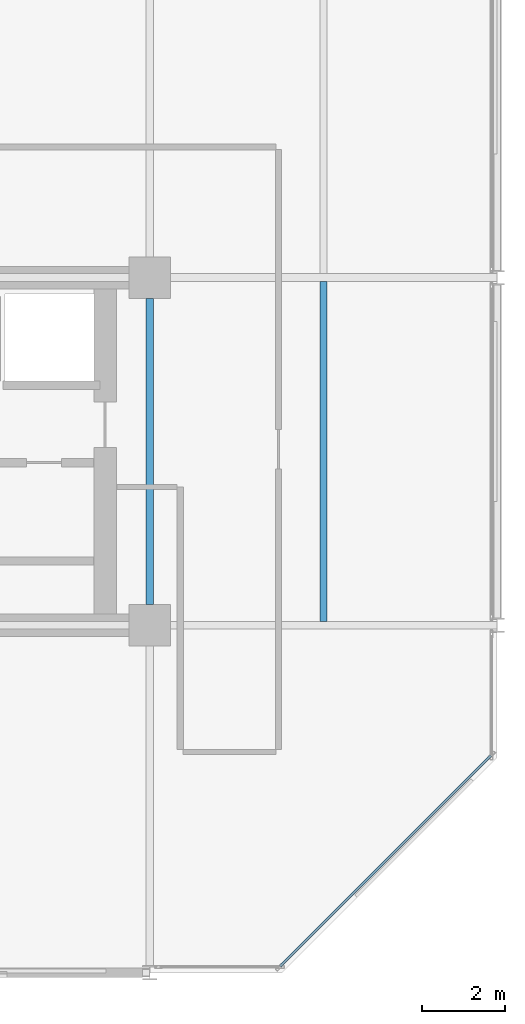
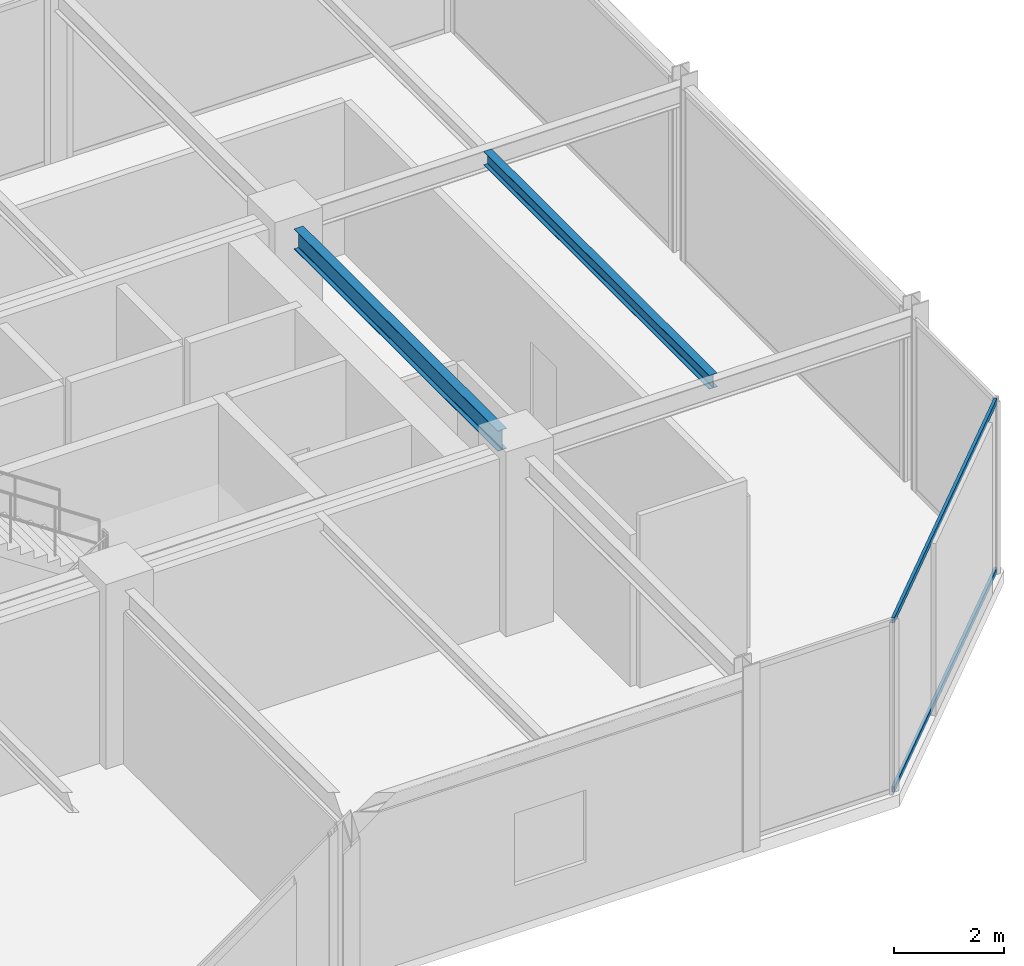
# One storey, part 12 of 29: 2 beams, 2 members, 1 element without a shape of its own.
"""IFC4 building model written with IfcOpenShell, lengths in metres."""

from ifc_helpers import new_model, si_unit, direction, frame, origin, origin_2d, place, context, subcontext, project, spatial, hollow_rectangle, i_section, extrude, material, layer, layer_set, material_profile, profile_set, type_object, element, aggregate, save


model = new_model("IFC4")

# Units and contexts
model_context = context("Model", 3, precision=1e-05, world=origin(), true_north=direction((0.0, 1.0)))
body_context = subcontext(model_context, "Body", "Model", "MODEL_VIEW")
ifc_project = project(units=[si_unit("LENGTHUNIT", "METRE"), si_unit("AREAUNIT", "SQUARE_METRE"), si_unit("VOLUMEUNIT", "CUBIC_METRE"), si_unit("PLANEANGLEUNIT", "RADIAN"), si_unit("MASSUNIT", "GRAM", prefix="KILO")], contexts=[model_context])

# Site, building, storey
site_placement = place(None, origin())
site = spatial("IfcSite", under=ifc_project, at=site_placement, CompositionType="ELEMENT")
building_placement = place(site_placement, origin())
building = spatial("IfcBuilding", under=site, at=building_placement, Name="Nerrivon Quay Data Exchange", CompositionType="ELEMENT")
storey_placement = place(building_placement, frame((0.0, 0.0, 183.699951171875)))
storey = spatial("IfcBuildingStorey", under=building, at=storey_placement, Name="L43", CompositionType="ELEMENT", Elevation=183.699951171875)

# Beams
ifc_material_1 = material(Name="Steel Grade 350", Category="steel")
ifc_material_profile_1 = material_profile(ifc_material_1, i_section(OverallWidth=0.18994140625, OverallDepth=0.4541015625, WebThickness=0.008544921875, FlangeThickness=0.0126953125, FilletRadius=0.011474609375, at=origin_2d()), Name="460UB67.1")
ifc_profile_set_1 = profile_set([ifc_material_profile_1], Name="Steel Grade 350")
beam_type_1 = type_object("IfcBeamType", Name="BM-G6-460UB67", PredefinedType="BEAM", material=ifc_profile_set_1)
beam_1_placement = place(storey_placement, frame((33.60009765625, 8.89990234375, 3.59814453125), z_axis=(0.0, 1.0, 0.0), x_axis=(-1.0, 0.0, 0.0)))
element("IfcBeam", 1, at=beam_1_placement, inside=storey, type_object=beam_type_1, Name="L43 NS Girder X=33.6 (8.4..16.8)", PredefinedType="BEAM", context=body_context, shape_type="SweptSolid", body=[
    extrude(i_section(OverallWidth=0.18994140625, OverallDepth=0.4541015625, WebThickness=0.008544921875, FlangeThickness=0.0126953125, FilletRadius=0.011474609375, at=origin_2d()), origin(), (0.0, 0.0, 1.0), 7.400146484375),
])
ifc_material_profile_2 = material_profile(ifc_material_1, i_section(OverallWidth=0.166015625, OverallDepth=0.306884765625, WebThickness=0.006591796875, FlangeThickness=0.01171875, FilletRadius=0.011474609375, at=origin_2d()), Name="310UB46.2")
ifc_profile_set_2 = profile_set([ifc_material_profile_2], Name="Steel Grade 350")
beam_type_2 = type_object("IfcBeamType", Name="BM-J5-310UB46", PredefinedType="JOIST", material=ifc_profile_set_2)
beam_2_placement = place(storey_placement, frame((37.800048828125, 8.49560546875, 3.671630859375), z_axis=(0.0, 1.0, 0.0), x_axis=(-1.0, 0.0, 0.0)))
element("IfcBeam", 2, at=beam_2_placement, inside=storey, type_object=beam_type_2, Name="L43 Secondary Joist X=37.8 (8.4..16.8)", PredefinedType="JOIST", context=body_context, shape_type="SweptSolid", body=[
    extrude(i_section(OverallWidth=0.166015625, OverallDepth=0.306884765625, WebThickness=0.006591796875, FlangeThickness=0.01171875, FilletRadius=0.011474609375, at=origin_2d()), origin(), (0.0, 0.0, 1.0), 8.208984375),
])

# Curtain wall, members
ifc_material_2 = material(Name="Anodised aluminium 6063-T6", Category="aluminium")
ifc_layer = layer(ifc_material_2, 0.195068359375)
ifc_layer_set = layer_set([ifc_layer], Name="Anodised aluminium 6063-T6")
curtain_wall_type = type_object("IfcCurtainWallType", Name="CW-SYS-06", PredefinedType="NOTDEFINED", material=ifc_layer_set)
curtain_wall_placement = place(storey_placement, origin())
curtain_wall = element("IfcCurtainWall", 3, at=curtain_wall_placement, inside=storey, type_object=curtain_wall_type, Name="L43 Unitised Curtain Wall 21", PredefinedType="NOTDEFINED")
ifc_material_profile_3 = material_profile(ifc_material_2, hollow_rectangle(XDim=0.06005859375, YDim=0.1201171875, WallThickness=0.003173828125, at=origin_2d()), Name="ALU-TRAN-120x60")
ifc_profile_set_3 = profile_set([ifc_material_profile_3], Name="Anodised aluminium 6063-T6")
member_type = type_object("IfcMemberType", Name="CWT-120x60", PredefinedType="USERDEFINED", material=ifc_profile_set_3)
member_1_placement = place(storey_placement, frame((41.847900390625, 5.245849609375, 0.032470703125), z_axis=(-0.707106781187, -0.707106781187, 0.0), x_axis=(0.707106781187, -0.707106781187, 0.0)))
member_1 = element("IfcMember", 4, at=member_1_placement, type_object=member_type, Name="CW06 transom 1.1", ObjectType="TRANSOM", PredefinedType="USERDEFINED", context=body_context, shape_type="SweptSolid", body=[
    extrude(hollow_rectangle(XDim=0.06005859375, YDim=0.1201171875, WallThickness=0.003173828125, at=origin_2d()), origin(), (0.0, 0.0, 1.0), 7.20361328125),
])
member_2_placement = place(storey_placement, frame((41.847900390625, 5.245849609375, 3.79248046875), z_axis=(-0.707106781187, -0.707106781187, 0.0), x_axis=(0.707106781187, -0.707106781187, 0.0)))
member_2 = element("IfcMember", 5, at=member_2_placement, type_object=member_type, Name="CW06 transom 1.2", ObjectType="TRANSOM", PredefinedType="USERDEFINED", context=body_context, shape_type="SweptSolid", body=[
    extrude(hollow_rectangle(XDim=0.06005859375, YDim=0.1201171875, WallThickness=0.003173828125, at=origin_2d()), origin(), (0.0, 0.0, 1.0), 7.20361328125),
])
aggregate(curtain_wall, [member_1, member_2])

save(model, "model.ifc")
